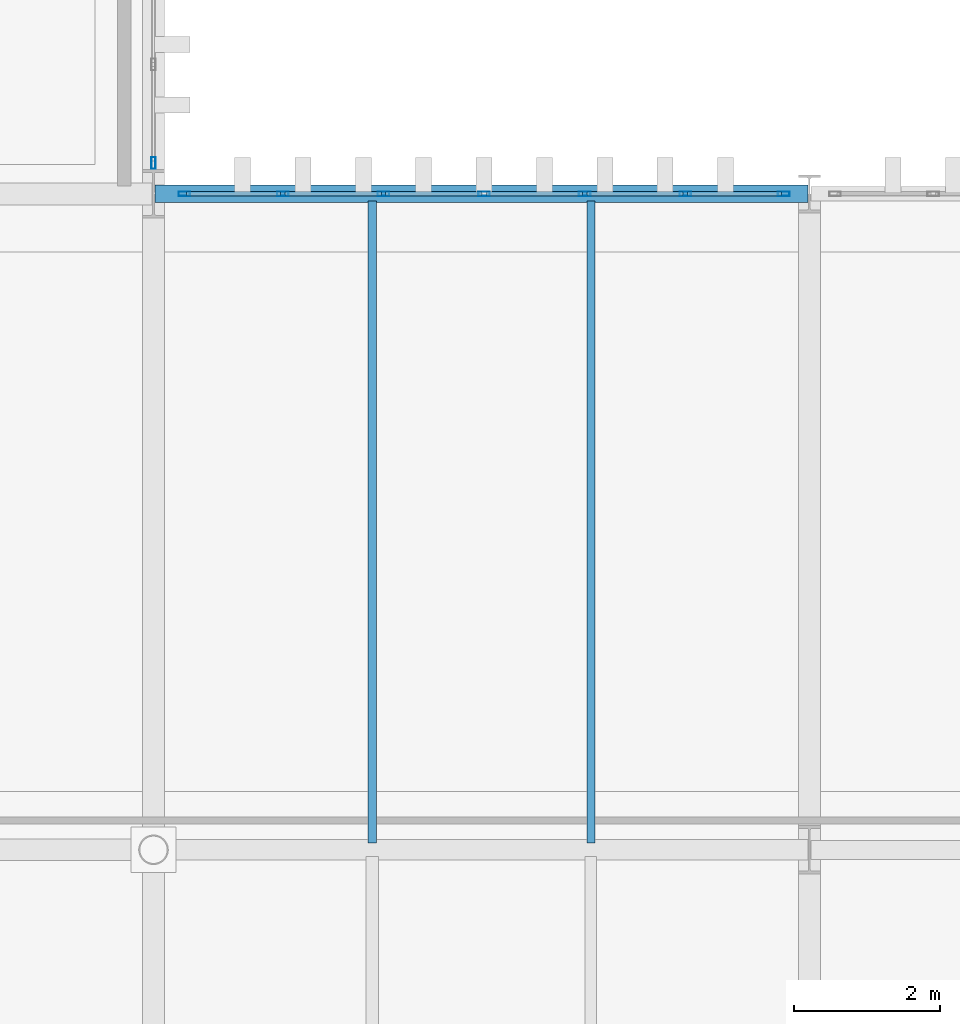
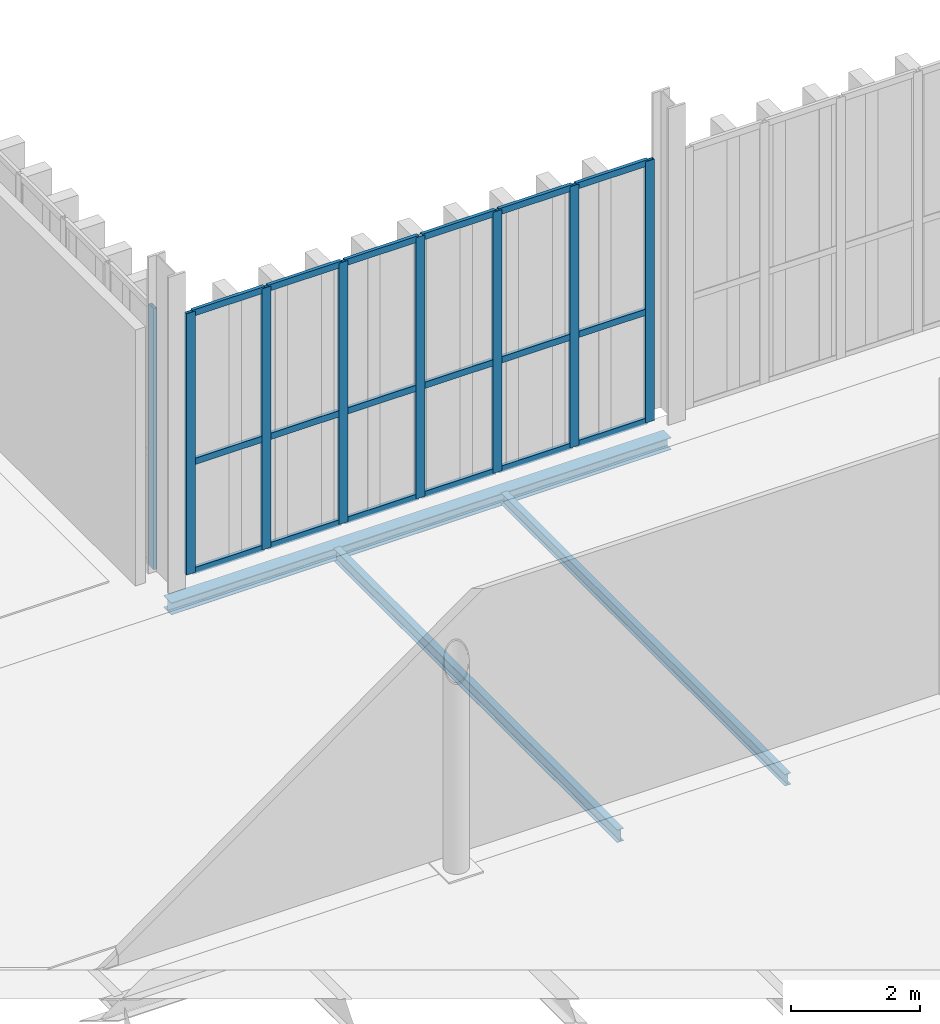
# One storey, part 93 of 211: 26 members, 3 beams, 2 elements without a shape of their own.
"""IFC4 building model written with IfcOpenShell, lengths in metres."""

from ifc_helpers import new_model, si_unit, direction, frame, origin, origin_2d, place, context, subcontext, project, spatial, hollow_rectangle, i_section, extrude, material, layer, layer_set, material_profile, profile_set, type_object, element, aggregate, save


model = new_model("IFC4")

# Units and contexts
model_context = context("Model", 3, precision=1e-05, world=origin(), true_north=direction((0.0, 1.0)))
body_context = subcontext(model_context, "Body", "Model", "MODEL_VIEW")
ifc_project = project(units=[si_unit("LENGTHUNIT", "METRE"), si_unit("AREAUNIT", "SQUARE_METRE"), si_unit("VOLUMEUNIT", "CUBIC_METRE"), si_unit("PLANEANGLEUNIT", "RADIAN"), si_unit("MASSUNIT", "GRAM", prefix="KILO")], contexts=[model_context])

# Site, building, storey
site_placement = place(None, origin())
site = spatial("IfcSite", under=ifc_project, at=site_placement, CompositionType="ELEMENT")
building_placement = place(site_placement, origin())
building = spatial("IfcBuilding", under=site, at=building_placement, Name="Barlavento Convention Centre", CompositionType="ELEMENT")
storey_placement = place(building_placement, frame((0.0, 0.0, 6.0)))
storey = spatial("IfcBuildingStorey", under=building, at=storey_placement, Name="L01", CompositionType="ELEMENT", Elevation=6.0)

# Curtain wall, members
ifc_material_1 = material(Name="Powder-coated aluminium and Low-E glass", Category="aluminium")
ifc_layer = layer(ifc_material_1, 0.195068359375)
ifc_layer_set = layer_set([ifc_layer], Name="ARC-CW-PATIO-A")
curtain_wall_type = type_object("IfcCurtainWallType", Name="ARC-CW-PATIO-A", PredefinedType="NOTDEFINED", material=ifc_layer_set)
curtain_wall_1_placement = place(storey_placement, origin())
curtain_wall_1 = element("IfcCurtainWall", 1, at=curtain_wall_1_placement, inside=storey, type_object=curtain_wall_type, Name="L01 unitised curtain wall CW11", PredefinedType="NOTDEFINED")
ifc_material_2 = material(Name="Powder-coated aluminium", Category="aluminium")
ifc_material_profile_1 = material_profile(ifc_material_2, hollow_rectangle(XDim=0.06005859375, YDim=0.159912109375, WallThickness=0.00390625, at=origin_2d()), Name="AL-MULL 60x160x4")
ifc_profile_set_1 = profile_set([ifc_material_profile_1], Name="Powder-coated aluminium")
member_type_1 = type_object("IfcMemberType", Name="ARC-CWM-60X160", PredefinedType="MULLION", material=ifc_profile_set_1)
member_1_placement = place(storey_placement, frame((135.424072265625, 63.0, 0.0), z_axis=(0.0, 0.0, 1.0), x_axis=(0.0, 1.0, 0.0)))
member_1 = element("IfcMember", 2, at=member_1_placement, type_object=member_type_1, Name="CW11 mullion 1", PredefinedType="MULLION", context=body_context, shape_type="SweptSolid", body=[
    extrude(hollow_rectangle(XDim=0.06005859375, YDim=0.159912109375, WallThickness=0.00390625, at=origin_2d()), origin(), (0.0, 0.0, 1.0), 4.949951171875),
])
member_2_placement = place(storey_placement, frame((136.774658203125, 63.0, 0.0), z_axis=(0.0, 0.0, 1.0), x_axis=(0.0, 1.0, 0.0)))
member_2 = element("IfcMember", 3, at=member_2_placement, type_object=member_type_1, Name="CW11 mullion 2", PredefinedType="MULLION", context=body_context, shape_type="SweptSolid", body=[
    extrude(hollow_rectangle(XDim=0.06005859375, YDim=0.159912109375, WallThickness=0.00390625, at=origin_2d()), origin(), (0.0, 0.0, 1.0), 4.949951171875),
])
member_3_placement = place(storey_placement, frame((138.1552734375, 63.0, 0.0), z_axis=(0.0, 0.0, 1.0), x_axis=(0.0, 1.0, 0.0)))
member_3 = element("IfcMember", 4, at=member_3_placement, type_object=member_type_1, Name="CW11 mullion 3", PredefinedType="MULLION", context=body_context, shape_type="SweptSolid", body=[
    extrude(hollow_rectangle(XDim=0.06005859375, YDim=0.159912109375, WallThickness=0.00390625, at=origin_2d()), origin(), (0.0, 0.0, 1.0), 4.949951171875),
])
member_4_placement = place(storey_placement, frame((139.535888671875, 63.0, 0.0), z_axis=(0.0, 0.0, 1.0), x_axis=(0.0, 1.0, 0.0)))
member_4 = element("IfcMember", 5, at=member_4_placement, type_object=member_type_1, Name="CW11 mullion 4", PredefinedType="MULLION", context=body_context, shape_type="SweptSolid", body=[
    extrude(hollow_rectangle(XDim=0.06005859375, YDim=0.159912109375, WallThickness=0.00390625, at=origin_2d()), origin(), (0.0, 0.0, 1.0), 4.949951171875),
])
member_5_placement = place(storey_placement, frame((140.916748046875, 63.0, 0.0), z_axis=(0.0, 0.0, 1.0), x_axis=(0.0, 1.0, 0.0)))
member_5 = element("IfcMember", 6, at=member_5_placement, type_object=member_type_1, Name="CW11 mullion 5", PredefinedType="MULLION", context=body_context, shape_type="SweptSolid", body=[
    extrude(hollow_rectangle(XDim=0.06005859375, YDim=0.159912109375, WallThickness=0.00390625, at=origin_2d()), origin(), (0.0, 0.0, 1.0), 4.949951171875),
])
member_6_placement = place(storey_placement, frame((142.29736328125, 63.0, 0.0), z_axis=(0.0, 0.0, 1.0), x_axis=(0.0, 1.0, 0.0)))
member_6 = element("IfcMember", 7, at=member_6_placement, type_object=member_type_1, Name="CW11 mullion 6", PredefinedType="MULLION", context=body_context, shape_type="SweptSolid", body=[
    extrude(hollow_rectangle(XDim=0.06005859375, YDim=0.159912109375, WallThickness=0.00390625, at=origin_2d()), origin(), (0.0, 0.0, 1.0), 4.949951171875),
])
member_7_placement = place(storey_placement, frame((143.64794921875, 63.0, 0.0), z_axis=(0.0, 0.0, 1.0), x_axis=(0.0, 1.0, 0.0)))
member_7 = element("IfcMember", 8, at=member_7_placement, type_object=member_type_1, Name="CW11 mullion 7", PredefinedType="MULLION", context=body_context, shape_type="SweptSolid", body=[
    extrude(hollow_rectangle(XDim=0.06005859375, YDim=0.159912109375, WallThickness=0.00390625, at=origin_2d()), origin(), (0.0, 0.0, 1.0), 4.949951171875),
])

# Curtain wall, member
curtain_wall_2_placement = place(storey_placement, origin())
curtain_wall_2 = element("IfcCurtainWall", 9, at=curtain_wall_2_placement, inside=storey, type_object=curtain_wall_type, Name="L01 unitised curtain wall CW11", PredefinedType="NOTDEFINED")
member_8_placement = place(storey_placement, frame((135.0, 63.424072265625, 0.0), z_axis=(0.0, 0.0, 1.0), x_axis=(-1.0, 0.0, 0.0)))
member_8 = element("IfcMember", 10, at=member_8_placement, type_object=member_type_1, Name="CW11 mullion 1", PredefinedType="MULLION", context=body_context, shape_type="SweptSolid", body=[
    extrude(hollow_rectangle(XDim=0.06005859375, YDim=0.159912109375, WallThickness=0.00390625, at=origin_2d()), origin(), (0.0, 0.0, 1.0), 4.949951171875),
])
aggregate(curtain_wall_2, [member_8])

# Member
ifc_material_profile_2 = material_profile(ifc_material_2, hollow_rectangle(XDim=0.06005859375, YDim=0.1201171875, WallThickness=0.00390625, at=origin_2d()), Name="AL-TRAN 60x120x4")
ifc_profile_set_2 = profile_set([ifc_material_profile_2], Name="Powder-coated aluminium")
member_type_2 = type_object("IfcMemberType", Name="ARC-CWT-60X120", PredefinedType="USERDEFINED", material=ifc_profile_set_2)
member_9_placement = place(storey_placement, frame((135.4541015625, 63.0, 0.030029296875), z_axis=(1.0, 0.0, 0.0), x_axis=(0.0, 1.0, 0.0)))
member_9 = element("IfcMember", 11, at=member_9_placement, type_object=member_type_2, Name="CW11 transom 1.1", ObjectType="TRANSOM", PredefinedType="USERDEFINED", context=body_context, shape_type="SweptSolid", body=[
    extrude(hollow_rectangle(XDim=0.06005859375, YDim=0.1201171875, WallThickness=0.00390625, at=origin_2d()), origin(), (0.0, 0.0, 1.0), 1.29052734375),
])

member_10_placement = place(storey_placement, frame((135.4541015625, 63.0, 2.10009765625), z_axis=(1.0, 0.0, 0.0), x_axis=(0.0, 1.0, 0.0)))
member_10 = element("IfcMember", 12, at=member_10_placement, type_object=member_type_2, Name="CW11 transom 1.2", ObjectType="TRANSOM", PredefinedType="USERDEFINED", context=body_context, shape_type="SweptSolid", body=[
    extrude(hollow_rectangle(XDim=0.06005859375, YDim=0.1201171875, WallThickness=0.00390625, at=origin_2d()), origin(), (0.0, 0.0, 1.0), 1.29052734375),
])

member_11_placement = place(storey_placement, frame((135.4541015625, 63.0, 4.919921875), z_axis=(1.0, 0.0, 0.0), x_axis=(0.0, 1.0, 0.0)))
member_11 = element("IfcMember", 13, at=member_11_placement, type_object=member_type_2, Name="CW11 transom 1.3", ObjectType="TRANSOM", PredefinedType="USERDEFINED", context=body_context, shape_type="SweptSolid", body=[
    extrude(hollow_rectangle(XDim=0.06005859375, YDim=0.1201171875, WallThickness=0.00390625, at=origin_2d()), origin(), (0.0, 0.0, 1.0), 1.29052734375),
])

member_12_placement = place(storey_placement, frame((136.8046875, 63.0, 0.030029296875), z_axis=(1.0, 0.0, 0.0), x_axis=(0.0, 1.0, 0.0)))
member_12 = element("IfcMember", 14, at=member_12_placement, type_object=member_type_2, Name="CW11 transom 2.1", ObjectType="TRANSOM", PredefinedType="USERDEFINED", context=body_context, shape_type="SweptSolid", body=[
    extrude(hollow_rectangle(XDim=0.06005859375, YDim=0.1201171875, WallThickness=0.00390625, at=origin_2d()), origin(), (0.0, 0.0, 1.0), 1.320556640625),
])

member_13_placement = place(storey_placement, frame((136.8046875, 63.0, 2.10009765625), z_axis=(1.0, 0.0, 0.0), x_axis=(0.0, 1.0, 0.0)))
member_13 = element("IfcMember", 15, at=member_13_placement, type_object=member_type_2, Name="CW11 transom 2.2", ObjectType="TRANSOM", PredefinedType="USERDEFINED", context=body_context, shape_type="SweptSolid", body=[
    extrude(hollow_rectangle(XDim=0.06005859375, YDim=0.1201171875, WallThickness=0.00390625, at=origin_2d()), origin(), (0.0, 0.0, 1.0), 1.320556640625),
])

member_14_placement = place(storey_placement, frame((136.8046875, 63.0, 4.919921875), z_axis=(1.0, 0.0, 0.0), x_axis=(0.0, 1.0, 0.0)))
member_14 = element("IfcMember", 16, at=member_14_placement, type_object=member_type_2, Name="CW11 transom 2.3", ObjectType="TRANSOM", PredefinedType="USERDEFINED", context=body_context, shape_type="SweptSolid", body=[
    extrude(hollow_rectangle(XDim=0.06005859375, YDim=0.1201171875, WallThickness=0.00390625, at=origin_2d()), origin(), (0.0, 0.0, 1.0), 1.320556640625),
])

member_15_placement = place(storey_placement, frame((138.185302734375, 63.0, 0.030029296875), z_axis=(1.0, 0.0, 0.0), x_axis=(0.0, 1.0, 0.0)))
member_15 = element("IfcMember", 17, at=member_15_placement, type_object=member_type_2, Name="CW11 transom 3.1", ObjectType="TRANSOM", PredefinedType="USERDEFINED", context=body_context, shape_type="SweptSolid", body=[
    extrude(hollow_rectangle(XDim=0.06005859375, YDim=0.1201171875, WallThickness=0.00390625, at=origin_2d()), origin(), (0.0, 0.0, 1.0), 1.32080078125),
])

member_16_placement = place(storey_placement, frame((138.185302734375, 63.0, 2.10009765625), z_axis=(1.0, 0.0, 0.0), x_axis=(0.0, 1.0, 0.0)))
member_16 = element("IfcMember", 18, at=member_16_placement, type_object=member_type_2, Name="CW11 transom 3.2", ObjectType="TRANSOM", PredefinedType="USERDEFINED", context=body_context, shape_type="SweptSolid", body=[
    extrude(hollow_rectangle(XDim=0.06005859375, YDim=0.1201171875, WallThickness=0.00390625, at=origin_2d()), origin(), (0.0, 0.0, 1.0), 1.32080078125),
])

member_17_placement = place(storey_placement, frame((138.185302734375, 63.0, 4.919921875), z_axis=(1.0, 0.0, 0.0), x_axis=(0.0, 1.0, 0.0)))
member_17 = element("IfcMember", 19, at=member_17_placement, type_object=member_type_2, Name="CW11 transom 3.3", ObjectType="TRANSOM", PredefinedType="USERDEFINED", context=body_context, shape_type="SweptSolid", body=[
    extrude(hollow_rectangle(XDim=0.06005859375, YDim=0.1201171875, WallThickness=0.00390625, at=origin_2d()), origin(), (0.0, 0.0, 1.0), 1.32080078125),
])

member_18_placement = place(storey_placement, frame((139.56591796875, 63.0, 0.030029296875), z_axis=(1.0, 0.0, 0.0), x_axis=(0.0, 1.0, 0.0)))
member_18 = element("IfcMember", 20, at=member_18_placement, type_object=member_type_2, Name="CW11 transom 4.1", ObjectType="TRANSOM", PredefinedType="USERDEFINED", context=body_context, shape_type="SweptSolid", body=[
    extrude(hollow_rectangle(XDim=0.06005859375, YDim=0.1201171875, WallThickness=0.00390625, at=origin_2d()), origin(), (0.0, 0.0, 1.0), 1.32080078125),
])

member_19_placement = place(storey_placement, frame((139.56591796875, 63.0, 2.10009765625), z_axis=(1.0, 0.0, 0.0), x_axis=(0.0, 1.0, 0.0)))
member_19 = element("IfcMember", 21, at=member_19_placement, type_object=member_type_2, Name="CW11 transom 4.2", ObjectType="TRANSOM", PredefinedType="USERDEFINED", context=body_context, shape_type="SweptSolid", body=[
    extrude(hollow_rectangle(XDim=0.06005859375, YDim=0.1201171875, WallThickness=0.00390625, at=origin_2d()), origin(), (0.0, 0.0, 1.0), 1.32080078125),
])

member_20_placement = place(storey_placement, frame((139.56591796875, 63.0, 4.919921875), z_axis=(1.0, 0.0, 0.0), x_axis=(0.0, 1.0, 0.0)))
member_20 = element("IfcMember", 22, at=member_20_placement, type_object=member_type_2, Name="CW11 transom 4.3", ObjectType="TRANSOM", PredefinedType="USERDEFINED", context=body_context, shape_type="SweptSolid", body=[
    extrude(hollow_rectangle(XDim=0.06005859375, YDim=0.1201171875, WallThickness=0.00390625, at=origin_2d()), origin(), (0.0, 0.0, 1.0), 1.32080078125),
])

member_21_placement = place(storey_placement, frame((140.94677734375, 63.0, 0.030029296875), z_axis=(1.0, 0.0, 0.0), x_axis=(0.0, 1.0, 0.0)))
member_21 = element("IfcMember", 23, at=member_21_placement, type_object=member_type_2, Name="CW11 transom 5.1", ObjectType="TRANSOM", PredefinedType="USERDEFINED", context=body_context, shape_type="SweptSolid", body=[
    extrude(hollow_rectangle(XDim=0.06005859375, YDim=0.1201171875, WallThickness=0.00390625, at=origin_2d()), origin(), (0.0, 0.0, 1.0), 1.320556640625),
])

member_22_placement = place(storey_placement, frame((140.94677734375, 63.0, 2.10009765625), z_axis=(1.0, 0.0, 0.0), x_axis=(0.0, 1.0, 0.0)))
member_22 = element("IfcMember", 24, at=member_22_placement, type_object=member_type_2, Name="CW11 transom 5.2", ObjectType="TRANSOM", PredefinedType="USERDEFINED", context=body_context, shape_type="SweptSolid", body=[
    extrude(hollow_rectangle(XDim=0.06005859375, YDim=0.1201171875, WallThickness=0.00390625, at=origin_2d()), origin(), (0.0, 0.0, 1.0), 1.320556640625),
])

member_23_placement = place(storey_placement, frame((140.94677734375, 63.0, 4.919921875), z_axis=(1.0, 0.0, 0.0), x_axis=(0.0, 1.0, 0.0)))
member_23 = element("IfcMember", 25, at=member_23_placement, type_object=member_type_2, Name="CW11 transom 5.3", ObjectType="TRANSOM", PredefinedType="USERDEFINED", context=body_context, shape_type="SweptSolid", body=[
    extrude(hollow_rectangle(XDim=0.06005859375, YDim=0.1201171875, WallThickness=0.00390625, at=origin_2d()), origin(), (0.0, 0.0, 1.0), 1.320556640625),
])

member_24_placement = place(storey_placement, frame((142.327392578125, 63.0, 0.030029296875), z_axis=(1.0, 0.0, 0.0), x_axis=(0.0, 1.0, 0.0)))
member_24 = element("IfcMember", 26, at=member_24_placement, type_object=member_type_2, Name="CW11 transom 6.1", ObjectType="TRANSOM", PredefinedType="USERDEFINED", context=body_context, shape_type="SweptSolid", body=[
    extrude(hollow_rectangle(XDim=0.06005859375, YDim=0.1201171875, WallThickness=0.00390625, at=origin_2d()), origin(), (0.0, 0.0, 1.0), 1.29052734375),
])

member_25_placement = place(storey_placement, frame((142.327392578125, 63.0, 2.10009765625), z_axis=(1.0, 0.0, 0.0), x_axis=(0.0, 1.0, 0.0)))
member_25 = element("IfcMember", 27, at=member_25_placement, type_object=member_type_2, Name="CW11 transom 6.2", ObjectType="TRANSOM", PredefinedType="USERDEFINED", context=body_context, shape_type="SweptSolid", body=[
    extrude(hollow_rectangle(XDim=0.06005859375, YDim=0.1201171875, WallThickness=0.00390625, at=origin_2d()), origin(), (0.0, 0.0, 1.0), 1.29052734375),
])

member_26_placement = place(storey_placement, frame((142.327392578125, 63.0, 4.919921875), z_axis=(1.0, 0.0, 0.0), x_axis=(0.0, 1.0, 0.0)))
member_26 = element("IfcMember", 28, at=member_26_placement, type_object=member_type_2, Name="CW11 transom 6.3", ObjectType="TRANSOM", PredefinedType="USERDEFINED", context=body_context, shape_type="SweptSolid", body=[
    extrude(hollow_rectangle(XDim=0.06005859375, YDim=0.1201171875, WallThickness=0.00390625, at=origin_2d()), origin(), (0.0, 0.0, 1.0), 1.29052734375),
])

aggregate(curtain_wall_1, [member_1, member_2, member_3, member_4, member_5, member_6, member_7, member_9, member_10, member_11, member_12, member_13, member_14, member_15, member_16, member_17, member_18, member_19, member_20, member_21, member_22, member_23, member_24, member_25, member_26])

# Beams
ifc_material_3 = material(Name="Steel S355", Category="steel")
ifc_material_profile_3 = material_profile(ifc_material_3, i_section(OverallWidth=0.110107421875, OverallDepth=0.219970703125, WebThickness=0.005859375, FlangeThickness=0.00927734375, FilletRadius=0.011962890625, at=origin_2d()), Name="IPE 220")
ifc_profile_set_3 = profile_set([ifc_material_profile_3], Name="Steel S355")
beam_type_1 = type_object("IfcBeamType", Name="STR-BM-JST-IPE220", PredefinedType="JOIST", material=ifc_profile_set_3)
beam_1_placement = place(storey_placement, frame((141.0, 54.094970703125, -0.469970703125), z_axis=(0.0, 1.0, 0.0), x_axis=(-1.0, 0.0, 0.0)))
element("IfcBeam", 29, at=beam_1_placement, inside=storey, type_object=beam_type_1, Name="L01 composite floor joist SJ10", PredefinedType="JOIST", context=body_context, shape_type="SweptSolid", body=[
    extrude(i_section(OverallWidth=0.110107421875, OverallDepth=0.219970703125, WebThickness=0.005859375, FlangeThickness=0.00927734375, FilletRadius=0.011962890625, at=origin_2d()), origin(), (0.0, 0.0, 1.0), 8.81005859375),
])
ifc_material_profile_4 = material_profile(ifc_material_3, i_section(OverallWidth=0.1201171875, OverallDepth=0.239990234375, WebThickness=0.006103515625, FlangeThickness=0.009765625, FilletRadius=0.014892578125, at=origin_2d()), Name="IPE 240")
ifc_profile_set_4 = profile_set([ifc_material_profile_4], Name="Steel S355")
beam_type_2 = type_object("IfcBeamType", Name="STR-BM-JST-IPE240", PredefinedType="JOIST", material=ifc_profile_set_4)
beam_2_placement = place(storey_placement, frame((138.0, 54.094970703125, -0.47998046875), z_axis=(0.0, 1.0, 0.0), x_axis=(-1.0, 0.0, 0.0)))
element("IfcBeam", 30, at=beam_2_placement, inside=storey, type_object=beam_type_2, Name="L01 composite floor joist SJ09", PredefinedType="JOIST", context=body_context, shape_type="SweptSolid", body=[
    extrude(i_section(OverallWidth=0.1201171875, OverallDepth=0.239990234375, WebThickness=0.006103515625, FlangeThickness=0.009765625, FilletRadius=0.014892578125, at=origin_2d()), origin(), (0.0, 0.0, 1.0), 8.81005859375),
])
ifc_material_profile_5 = material_profile(ifc_material_3, i_section(OverallWidth=0.239990234375, OverallDepth=0.22998046875, WebThickness=0.007568359375, FlangeThickness=0.011962890625, FilletRadius=0.02099609375, at=origin_2d()), Name="HEA 240")
ifc_profile_set_5 = profile_set([ifc_material_profile_5], Name="Steel S355")
beam_type_3 = type_object("IfcBeamType", Name="STR-BM-SPN-HEA240", PredefinedType="SPANDREL", material=ifc_profile_set_5)
beam_3_placement = place(storey_placement, frame((135.02001953125, 63.0, -0.47509765625), z_axis=(1.0, 0.0, 0.0), x_axis=(0.0, 1.0, 0.0)))
element("IfcBeam", 31, at=beam_3_placement, inside=storey, type_object=beam_type_3, Name="L01 primary girder SP05", PredefinedType="SPANDREL", context=body_context, shape_type="SweptSolid", body=[
    extrude(i_section(OverallWidth=0.239990234375, OverallDepth=0.22998046875, WebThickness=0.007568359375, FlangeThickness=0.011962890625, FilletRadius=0.02099609375, at=origin_2d()), origin(), (0.0, 0.0, 1.0), 8.9599609375),
])

save(model, "model.ifc")
